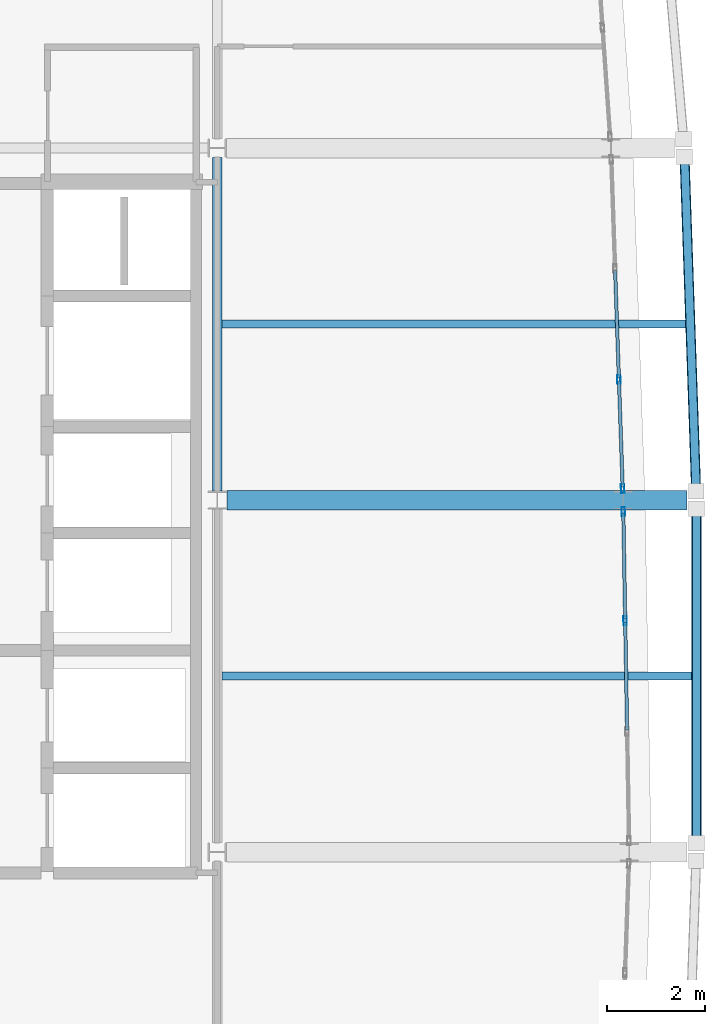
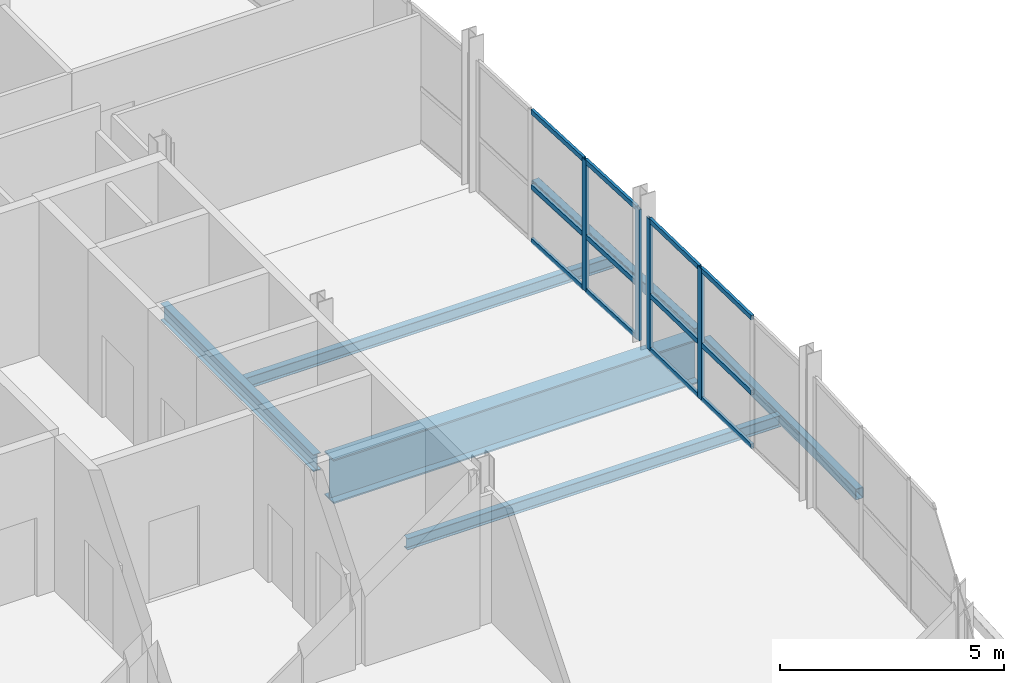
# One storey, part 7 of 23: 16 members, 6 beams, 2 elements without a shape of their own.
"""IFC4 building model written with IfcOpenShell, lengths in metres."""

import ifcopenshell
import ifcopenshell.guid

model = None  # the IFC model being written
_history = None  # IfcOwnerHistory: only IFC2X3 demands one
_inside = {}  # id of a spatial element -> (the spatial element, [elements in it])
_under = {}  # id of a project, library or spatial element -> (it, [spatial elements below it])
_declared = {}  # id of a project -> (the project, [libraries it declares])
_typed = {}  # id of a type object -> (the type object, [elements of that type])
_made_of = {}  # id of a material, layer set ... -> (it, [elements and type objects made of it])


def new_model(schema):
    """Start an empty IFC model of exactly this schema.

    Asked for "IFC4X3", IfcOpenShell would pick the latest addendum, in which some entities
    have other attributes; the version numbers below select the first issue.
    IFC2X3 requires an IfcOwnerHistory on every rooted entity: one is made here for all.
    """
    global model, _history
    if schema == "IFC4X3":
        model = ifcopenshell.file(schema_version=(4, 3, 0, 0))
    else:
        model = ifcopenshell.file(schema=schema)
    _inside.clear()
    _under.clear()
    _declared.clear()
    _typed.clear()
    _made_of.clear()
    _history = None
    if model.schema == "IFC2X3":
        org = make("IfcOrganization", Name="unknown")
        user = make(
            "IfcPersonAndOrganization",
            ThePerson=make("IfcPerson", FamilyName="unknown"),
            TheOrganization=org,
        )
        app = make(
            "IfcApplication",
            ApplicationDeveloper=org,
            Version="unknown",
            ApplicationFullName="unknown",
            ApplicationIdentifier="unknown",
        )
        _history = make(
            "IfcOwnerHistory",
            OwningUser=user,
            OwningApplication=app,
            ChangeAction="ADDED",
            CreationDate=0,
        )
    return model


def make(cls, **values):
    """One entity of the class cls with the attributes given. An attribute that is None is left unset."""
    return model.create_entity(
        cls, **{name: value for name, value in values.items() if value is not None}
    )


def rooted(cls, **values):
    """An entity with a GlobalId (a new one), such as an element, a storey or a relation."""
    return make(cls, GlobalId=ifcopenshell.guid.new(), OwnerHistory=_history, **values)


def si_unit(unit_type, name, prefix=None):
    """IfcSIUnit, for example si_unit("LENGTHUNIT", "METRE", prefix="MILLI")."""
    return make("IfcSIUnit", UnitType=unit_type, Prefix=prefix, Name=name)


def assignment(units):
    """IfcUnitAssignment: the units of a project."""
    return None if units is None else make("IfcUnitAssignment", Units=units)


def point(xyz):
    """IfcCartesianPoint."""
    return None if xyz is None else make("IfcCartesianPoint", Coordinates=xyz)


def direction(xyz):
    """IfcDirection."""
    return None if xyz is None else make("IfcDirection", DirectionRatios=xyz)


def frame(location, z_axis=None, x_axis=None):
    """IfcAxis2Placement3D, a coordinate frame: its origin and axes. An axis left out is left unset."""
    return make(
        "IfcAxis2Placement3D",
        Location=point(location),
        Axis=direction(z_axis),
        RefDirection=direction(x_axis),
    )


def frame_2d(location, x_axis=None):
    """IfcAxis2Placement2D, a coordinate frame in the plane: its origin and x axis."""
    return make(
        "IfcAxis2Placement2D", Location=point(location), RefDirection=direction(x_axis)
    )


def origin():
    """The frame at (0, 0, 0) with its axes left unset."""
    return frame((0.0, 0.0, 0.0))


def origin_2d():
    """The frame at (0, 0) in the plane with its x axis left unset."""
    return frame_2d((0.0, 0.0))


def place(relative_to, where):
    """IfcLocalPlacement: puts the frame where relative to a parent placement (None: the world)."""
    return make(
        "IfcLocalPlacement", PlacementRelTo=relative_to, RelativePlacement=where
    )


def context(
    kind, dimensions, precision=None, world=None, true_north=None, identifier=None
):
    """IfcGeometricRepresentationContext, for example the 3D "Model" context."""
    return make(
        "IfcGeometricRepresentationContext",
        ContextIdentifier=identifier,
        ContextType=kind,
        CoordinateSpaceDimension=dimensions,
        Precision=precision,
        WorldCoordinateSystem=world,
        TrueNorth=true_north,
    )


def subcontext(parent, identifier, kind, view, scale=None):
    """IfcGeometricRepresentationSubContext, for example "Body" below "Model"."""
    return make(
        "IfcGeometricRepresentationSubContext",
        ContextIdentifier=identifier,
        ContextType=kind,
        ParentContext=parent,
        TargetScale=scale,
        TargetView=view,
    )


def project(units=None, contexts=None):
    """IfcProject with its units and contexts."""
    return rooted(
        "IfcProject",
        Name="project",
        RepresentationContexts=contexts,
        UnitsInContext=assignment(units),
    )


def spatial(cls, under=None, at=None, **own):
    """A site, building, storey or space (cls), placed at a placement, below another one or the project."""
    s = rooted(cls, ObjectPlacement=at, **own)
    if under is not None:
        _under.setdefault(under.id(), (under, []))[1].append(s)
    return s


def profile(cls, at=None, kind="AREA", **sizes):
    """A parametric profile (cls). Its sizes go by their IFC names, for example OverallWidth=200.0."""
    return make(cls, ProfileType=kind, Position=at, **sizes)


def hollow_rectangle(**sizes):
    """IfcRectangleHollowProfileDef."""
    return profile("IfcRectangleHollowProfileDef", **sizes)


def i_section(**sizes):
    """IfcIShapeProfileDef."""
    return profile("IfcIShapeProfileDef", **sizes)


def extrude(swept, where, along, depth):
    """IfcExtrudedAreaSolid: the profile swept, set in the frame where, extruded along a direction by depth."""
    return make(
        "IfcExtrudedAreaSolid",
        SweptArea=swept,
        Position=where,
        ExtrudedDirection=direction(along),
        Depth=depth,
    )


def shape(context_of_items, identifier, shape_type, items):
    """IfcShapeRepresentation: the items that make up one representation, for example the "Body"."""
    return make(
        "IfcShapeRepresentation",
        ContextOfItems=context_of_items,
        RepresentationIdentifier=identifier,
        RepresentationType=shape_type,
        Items=items,
    )


def material(Name=None, Category=None):
    """IfcMaterial."""
    return make("IfcMaterial", Name=Name, Category=Category)


def layer(
    of_material, thickness, ventilated=None, Name=None, Category=None, Priority=None
):
    """IfcMaterialLayer: one layer of a wall or slab, of a material (None: an air gap)."""
    return make(
        "IfcMaterialLayer",
        Material=of_material,
        LayerThickness=thickness,
        IsVentilated=ventilated,
        Name=Name,
        Category=Category,
        Priority=Priority,
    )


def layer_set(layers, Name=None):
    """IfcMaterialLayerSet."""
    return make("IfcMaterialLayerSet", MaterialLayers=layers, LayerSetName=Name)


def material_profile(
    of_material, cross_section, Name=None, Category=None, Priority=None
):
    """IfcMaterialProfile: a cross section and its material."""
    return make(
        "IfcMaterialProfile",
        Name=Name,
        Material=of_material,
        Profile=cross_section,
        Priority=Priority,
        Category=Category,
    )


def profile_set(profiles, Name=None, composite=None):
    """IfcMaterialProfileSet."""
    return make(
        "IfcMaterialProfileSet",
        Name=Name,
        MaterialProfiles=profiles,
        CompositeProfile=composite,
    )


def made_of(thing, what):
    """Note that an element or type object is made of a material, layer set ...; save() writes the relation."""
    if what is not None:
        _made_of.setdefault(what.id(), (what, []))[1].append(thing)
    return thing


def type_object(cls, material=None, **own):
    """A type object (cls), such as IfcWallType, which elements share."""
    return made_of(rooted(cls, **own), material)


def element(
    cls,
    number,
    at=None,
    inside=None,
    cuts=None,
    type_object=None,
    material=None,
    context=None,
    identifier="Body",
    shape_type=None,
    held_by="IfcProductDefinitionShape",
    body=None,
    shapes=None,
    **own,
):
    """One element of the class cls, such as IfcWall. Its Tag is "e" and its number.

    at: its placement. inside: the storey or other place that contains it. cuts: it is an
    opening in that element (IfcRelVoidsElement). A single representation is given by context,
    identifier, shape_type and body (its items); several are given by shapes. held_by: the class
    of the entity that holds the representations. save() writes the other relations.
    """
    e = rooted(cls, Tag="e%d" % number, ObjectPlacement=at, **own)
    if body is not None:
        shapes = [shape(context, identifier, shape_type, body)]
    if shapes is not None:
        e.Representation = make(held_by, Representations=shapes)
    if inside is not None:
        _inside.setdefault(inside.id(), (inside, []))[1].append(e)
    if cuts is not None:
        rooted(
            "IfcRelVoidsElement", RelatingBuildingElement=cuts, RelatedOpeningElement=e
        )
    if type_object is not None:
        _typed.setdefault(type_object.id(), (type_object, []))[1].append(e)
    return made_of(e, material)


def aggregate(whole, parts):
    """IfcRelAggregates: a whole, such as a stair, and the parts it consists of."""
    return rooted("IfcRelAggregates", RelatingObject=whole, RelatedObjects=parts)


def save(model, path):
    """Write the relations noted so far, then the file.

    IfcRelAggregates (storeys below a building ...), IfcRelContainedInSpatialStructure (elements
    in a storey), IfcRelDefinesByType, IfcRelAssociatesMaterial and IfcRelDeclares: one each for
    every whole, place, type object, material and project.
    """
    for whole, parts in _under.values():
        aggregate(whole, parts)
    for where, things in _inside.values():
        rooted(
            "IfcRelContainedInSpatialStructure",
            RelatedElements=things,
            RelatingStructure=where,
        )
    for kind, things in _typed.values():
        rooted("IfcRelDefinesByType", RelatedObjects=things, RelatingType=kind)
    for what, things in _made_of.values():
        rooted("IfcRelAssociatesMaterial", RelatedObjects=things, RelatingMaterial=what)
    for by, libraries in _declared.values():
        rooted("IfcRelDeclares", RelatingContext=by, RelatedDefinitions=libraries)
    model.write(path)


model = new_model("IFC4")

# Units and contexts
model_context = context("Model", 3, precision=1e-05, world=origin(), true_north=direction((0.0, 1.0)))
body_context = subcontext(model_context, "Body", "Model", "MODEL_VIEW")
ifc_project = project(units=[si_unit("LENGTHUNIT", "METRE"), si_unit("AREAUNIT", "SQUARE_METRE"), si_unit("VOLUMEUNIT", "CUBIC_METRE"), si_unit("PLANEANGLEUNIT", "RADIAN"), si_unit("MASSUNIT", "GRAM", prefix="KILO")], contexts=[model_context])

# Site, building, storey
site_placement = place(None, origin())
site = spatial("IfcSite", under=ifc_project, at=site_placement, CompositionType="ELEMENT")
building_placement = place(site_placement, origin())
building = spatial("IfcBuilding", under=site, at=building_placement, Name="Quillay Park Conservatory", CompositionType="ELEMENT")
storey_placement = place(building_placement, frame((0.0, 0.0, 22.5)))
storey = spatial("IfcBuildingStorey", under=building, at=storey_placement, Name="L05", CompositionType="ELEMENT", Elevation=22.5)

# Beams
ifc_material_1 = material(Name="Steel ASTM A992 Grade 50", Category="steel")
ifc_material_profile_1 = material_profile(ifc_material_1, i_section(OverallWidth=0.166015625, OverallDepth=0.31298828125, WebThickness=0.006591796875, FlangeThickness=0.01123046875, FilletRadius=0.010009765625, at=origin_2d()), Name="W310x45")
ifc_profile_set_1 = profile_set([ifc_material_profile_1], Name="Steel ASTM A992 Grade 50")
beam_type_1 = type_object("IfcBeamType", Name="COMPOSITE FLOOR JOIST W310 X45", PredefinedType="JOIST", material=ifc_profile_set_1)
beam_1_placement = place(storey_placement, frame((19.845947265625, 88.800048828125, -0.3564453125), z_axis=(1.0, 0.0, 0.0), x_axis=(0.0, 1.0, 0.0)))
element("IfcBeam", 1, at=beam_1_placement, inside=storey, type_object=beam_type_1, Name="L05 beam BM-J-0427", PredefinedType="JOIST", context=body_context, shape_type="SweptSolid", body=[
    extrude(i_section(OverallWidth=0.166015625, OverallDepth=0.31298828125, WebThickness=0.006591796875, FlangeThickness=0.01123046875, FilletRadius=0.010009765625, at=origin_2d()), origin(), (0.0, 0.0, 1.0), 9.60400390625),
])
beam_2_placement = place(storey_placement, frame((19.845947265625, 96.0, -0.3564453125), z_axis=(1.0, 0.0, 0.0), x_axis=(0.0, 1.0, 0.0)))
element("IfcBeam", 2, at=beam_2_placement, inside=storey, type_object=beam_type_1, Name="L05 beam BM-J-0433", PredefinedType="JOIST", context=body_context, shape_type="SweptSolid", body=[
    extrude(i_section(OverallWidth=0.166015625, OverallDepth=0.31298828125, WebThickness=0.006591796875, FlangeThickness=0.01123046875, FilletRadius=0.010009765625, at=origin_2d()), origin(), (0.0, 0.0, 1.0), 9.47900390625),
])

# Curtain wall, members
ifc_material_2 = material(Name="Thermally Broken Anodised Aluminium 6063-T6", Category="aluminium")
ifc_layer = layer(ifc_material_2, 0.179931640625)
ifc_layer_set = layer_set([ifc_layer], Name="UNITISED CURTAIN WALL TOWER (Thermally Broken Anodised Aluminium 6063-T6)")
curtain_wall_type = type_object("IfcCurtainWallType", Name="UNITISED CURTAIN WALL TOWER", PredefinedType="USERDEFINED", material=ifc_layer_set)
curtain_wall_1_placement = place(storey_placement, origin())
curtain_wall_1 = element("IfcCurtainWall", 3, at=curtain_wall_1_placement, inside=storey, type_object=curtain_wall_type, Name="L05 Unitised Curtain Wall 051", ObjectType="UNITISED CURTAIN WALL", PredefinedType="USERDEFINED")
ifc_material_3 = material(Name="Thermally Broken Anodised Aluminium 6063-T6", Category="aluminium")
ifc_material_profile_2 = material_profile(ifc_material_3, hollow_rectangle(XDim=0.070068359375, YDim=0.179931640625, WallThickness=0.00390625, at=origin_2d()), Name="AL70x180x4")
ifc_profile_set_2 = profile_set([ifc_material_profile_2], Name="Thermally Broken Anodised Aluminium 6063-T6")
member_type_1 = type_object("IfcMemberType", Name="CURTAIN WALL MULLION 70 X180", PredefinedType="MULLION", material=ifc_profile_set_2)
member_1_placement = place(storey_placement, frame((28.05419921875, 92.1650390625, 0.0), z_axis=(0.0, 0.0, 1.0), x_axis=(0.999849471711, 0.017350329071, 0.0)))
member_1 = element("IfcMember", 4, at=member_1_placement, type_object=member_type_1, Name="CW-T1 mullion 1", PredefinedType="MULLION", context=body_context, shape_type="SweptSolid", body=[
    extrude(hollow_rectangle(XDim=0.070068359375, YDim=0.179931640625, WallThickness=0.00390625, at=origin_2d()), origin(), (0.0, 0.0, 1.0), 3.569091796875),
])
member_2_placement = place(storey_placement, frame((28.0927734375, 89.933349609375, 0.0), z_axis=(0.0, 0.0, 1.0), x_axis=(0.999849471711, 0.017350329071, 0.0)))
member_2 = element("IfcMember", 5, at=member_2_placement, type_object=member_type_1, Name="CW-T1 mullion 2", PredefinedType="MULLION", context=body_context, shape_type="SweptSolid", body=[
    extrude(hollow_rectangle(XDim=0.070068359375, YDim=0.179931640625, WallThickness=0.00390625, at=origin_2d()), origin(), (0.0, 0.0, 1.0), 3.569091796875),
])

curtain_wall_2_placement = place(storey_placement, origin())
curtain_wall_2 = element("IfcCurtainWall", 6, at=curtain_wall_2_placement, inside=storey, type_object=curtain_wall_type, Name="L05 Unitised Curtain Wall 052", ObjectType="UNITISED CURTAIN WALL", PredefinedType="USERDEFINED")
member_3_placement = place(storey_placement, frame((27.96435546875, 94.86669921875, 0.0), z_axis=(0.0, 0.0, 1.0), x_axis=(0.999397310446, 0.034713338537, 0.0)))
member_3 = element("IfcMember", 7, at=member_3_placement, type_object=member_type_1, Name="CW-T1 mullion 3", PredefinedType="MULLION", context=body_context, shape_type="SweptSolid", body=[
    extrude(hollow_rectangle(XDim=0.070068359375, YDim=0.179931640625, WallThickness=0.00390625, at=origin_2d()), origin(), (0.0, 0.0, 1.0), 3.569091796875),
])
member_4_placement = place(storey_placement, frame((28.0419921875, 92.634765625, 0.0), z_axis=(0.0, 0.0, 1.0), x_axis=(0.999397310446, 0.034713338537, 0.0)))
member_4 = element("IfcMember", 8, at=member_4_placement, type_object=member_type_1, Name="CW-T1 mullion 4", PredefinedType="MULLION", context=body_context, shape_type="SweptSolid", body=[
    extrude(hollow_rectangle(XDim=0.070068359375, YDim=0.179931640625, WallThickness=0.00390625, at=origin_2d()), origin(), (0.0, 0.0, 1.0), 3.569091796875),
])

# Member
ifc_material_4 = material(Name="Thermally Broken Anodised Aluminium 6063-T6", Category="aluminium")
ifc_material_profile_3 = material_profile(ifc_material_4, hollow_rectangle(XDim=0.070068359375, YDim=0.1298828125, WallThickness=0.003173828125, at=origin_2d()), Name="AL70x130x3.2")
ifc_profile_set_3 = profile_set([ifc_material_profile_3], Name="Thermally Broken Anodised Aluminium 6063-T6")
member_type_2 = type_object("IfcMemberType", Name="CURTAIN WALL TRANSOM 70 X130", PredefinedType="USERDEFINED", material=ifc_profile_set_3)
member_5_placement = place(storey_placement, frame((28.0546875, 92.130126953125, 0.034912109375), z_axis=(0.017388674879, -0.999848805563, 0.0), x_axis=(0.999848805563, 0.017388674879, 0.0)))
member_5 = element("IfcMember", 9, at=member_5_placement, type_object=member_type_2, Name="CW-T1 transom 1.1", ObjectType="TRANSOM", PredefinedType="USERDEFINED", context=body_context, shape_type="SweptSolid", body=[
    extrude(hollow_rectangle(XDim=0.070068359375, YDim=0.1298828125, WallThickness=0.003173828125, at=origin_2d()), origin(), (0.0, 0.0, 1.0), 2.162109375),
])

member_6_placement = place(storey_placement, frame((28.0546875, 92.130126953125, 1.4990234375), z_axis=(0.017388674879, -0.999848805563, 0.0), x_axis=(0.999848805563, 0.017388674879, 0.0)))
member_6 = element("IfcMember", 10, at=member_6_placement, type_object=member_type_2, Name="CW-T1 transom 1.2", ObjectType="TRANSOM", PredefinedType="USERDEFINED", context=body_context, shape_type="SweptSolid", body=[
    extrude(hollow_rectangle(XDim=0.070068359375, YDim=0.1298828125, WallThickness=0.003173828125, at=origin_2d()), origin(), (0.0, 0.0, 1.0), 2.162109375),
])

member_7_placement = place(storey_placement, frame((28.0546875, 92.130126953125, 3.533935546875), z_axis=(0.017388674879, -0.999848805563, 0.0), x_axis=(0.999848805563, 0.017388674879, 0.0)))
member_7 = element("IfcMember", 11, at=member_7_placement, type_object=member_type_2, Name="CW-T1 transom 1.3", ObjectType="TRANSOM", PredefinedType="USERDEFINED", context=body_context, shape_type="SweptSolid", body=[
    extrude(hollow_rectangle(XDim=0.070068359375, YDim=0.1298828125, WallThickness=0.003173828125, at=origin_2d()), origin(), (0.0, 0.0, 1.0), 2.162109375),
])

member_8_placement = place(storey_placement, frame((28.093505859375, 89.8984375, 0.034912109375), z_axis=(0.01733458104, -0.999849744862, 0.0), x_axis=(0.999849744862, 0.01733458104, 0.0)))
member_8 = element("IfcMember", 12, at=member_8_placement, type_object=member_type_2, Name="CW-T1 transom 2.1", ObjectType="TRANSOM", PredefinedType="USERDEFINED", context=body_context, shape_type="SweptSolid", body=[
    extrude(hollow_rectangle(XDim=0.070068359375, YDim=0.1298828125, WallThickness=0.003173828125, at=origin_2d()), origin(), (0.0, 0.0, 1.0), 2.197021484375),
])

member_9_placement = place(storey_placement, frame((28.093505859375, 89.8984375, 1.4990234375), z_axis=(0.01733458104, -0.999849744862, 0.0), x_axis=(0.999849744862, 0.01733458104, 0.0)))
member_9 = element("IfcMember", 13, at=member_9_placement, type_object=member_type_2, Name="CW-T1 transom 2.2", ObjectType="TRANSOM", PredefinedType="USERDEFINED", context=body_context, shape_type="SweptSolid", body=[
    extrude(hollow_rectangle(XDim=0.070068359375, YDim=0.1298828125, WallThickness=0.003173828125, at=origin_2d()), origin(), (0.0, 0.0, 1.0), 2.197021484375),
])

member_10_placement = place(storey_placement, frame((28.093505859375, 89.8984375, 3.533935546875), z_axis=(0.01733458104, -0.999849744862, 0.0), x_axis=(0.999849744862, 0.01733458104, 0.0)))
member_10 = element("IfcMember", 14, at=member_10_placement, type_object=member_type_2, Name="CW-T1 transom 2.3", ObjectType="TRANSOM", PredefinedType="USERDEFINED", context=body_context, shape_type="SweptSolid", body=[
    extrude(hollow_rectangle(XDim=0.070068359375, YDim=0.1298828125, WallThickness=0.003173828125, at=origin_2d()), origin(), (0.0, 0.0, 1.0), 2.197021484375),
])

aggregate(curtain_wall_1, [member_1, member_2, member_5, member_6, member_7, member_8, member_9, member_10])

member_11_placement = place(storey_placement, frame((27.886962890625, 97.098388671875, 0.034912109375), z_axis=(0.034653546152, -0.999399385501, 0.0), x_axis=(0.999399385501, 0.034653546152, 0.0)))
member_11 = element("IfcMember", 15, at=member_11_placement, type_object=member_type_2, Name="CW-T1 transom 2.1", ObjectType="TRANSOM", PredefinedType="USERDEFINED", context=body_context, shape_type="SweptSolid", body=[
    extrude(hollow_rectangle(XDim=0.070068359375, YDim=0.1298828125, WallThickness=0.003173828125, at=origin_2d()), origin(), (0.0, 0.0, 1.0), 2.197998046875),
])

member_12_placement = place(storey_placement, frame((27.886962890625, 97.098388671875, 1.4990234375), z_axis=(0.034653546152, -0.999399385501, 0.0), x_axis=(0.999399385501, 0.034653546152, 0.0)))
member_12 = element("IfcMember", 16, at=member_12_placement, type_object=member_type_2, Name="CW-T1 transom 2.2", ObjectType="TRANSOM", PredefinedType="USERDEFINED", context=body_context, shape_type="SweptSolid", body=[
    extrude(hollow_rectangle(XDim=0.070068359375, YDim=0.1298828125, WallThickness=0.003173828125, at=origin_2d()), origin(), (0.0, 0.0, 1.0), 2.197998046875),
])

member_13_placement = place(storey_placement, frame((27.886962890625, 97.098388671875, 3.533935546875), z_axis=(0.034653546152, -0.999399385501, 0.0), x_axis=(0.999399385501, 0.034653546152, 0.0)))
member_13 = element("IfcMember", 17, at=member_13_placement, type_object=member_type_2, Name="CW-T1 transom 2.3", ObjectType="TRANSOM", PredefinedType="USERDEFINED", context=body_context, shape_type="SweptSolid", body=[
    extrude(hollow_rectangle(XDim=0.070068359375, YDim=0.1298828125, WallThickness=0.003173828125, at=origin_2d()), origin(), (0.0, 0.0, 1.0), 2.197998046875),
])

member_14_placement = place(storey_placement, frame((27.965576171875, 94.83154296875, 0.034912109375), z_axis=(0.034765508592, -0.999395496994, 0.0), x_axis=(0.999395496994, 0.034765508592, 0.0)))
member_14 = element("IfcMember", 18, at=member_14_placement, type_object=member_type_2, Name="CW-T1 transom 3.1", ObjectType="TRANSOM", PredefinedType="USERDEFINED", context=body_context, shape_type="SweptSolid", body=[
    extrude(hollow_rectangle(XDim=0.070068359375, YDim=0.1298828125, WallThickness=0.003173828125, at=origin_2d()), origin(), (0.0, 0.0, 1.0), 2.162841796875),
])

member_15_placement = place(storey_placement, frame((27.965576171875, 94.83154296875, 1.4990234375), z_axis=(0.034765508592, -0.999395496994, 0.0), x_axis=(0.999395496994, 0.034765508592, 0.0)))
member_15 = element("IfcMember", 19, at=member_15_placement, type_object=member_type_2, Name="CW-T1 transom 3.2", ObjectType="TRANSOM", PredefinedType="USERDEFINED", context=body_context, shape_type="SweptSolid", body=[
    extrude(hollow_rectangle(XDim=0.070068359375, YDim=0.1298828125, WallThickness=0.003173828125, at=origin_2d()), origin(), (0.0, 0.0, 1.0), 2.162841796875),
])

member_16_placement = place(storey_placement, frame((27.965576171875, 94.83154296875, 3.533935546875), z_axis=(0.034765508592, -0.999395496994, 0.0), x_axis=(0.999395496994, 0.034765508592, 0.0)))
member_16 = element("IfcMember", 20, at=member_16_placement, type_object=member_type_2, Name="CW-T1 transom 3.3", ObjectType="TRANSOM", PredefinedType="USERDEFINED", context=body_context, shape_type="SweptSolid", body=[
    extrude(hollow_rectangle(XDim=0.070068359375, YDim=0.1298828125, WallThickness=0.003173828125, at=origin_2d()), origin(), (0.0, 0.0, 1.0), 2.162841796875),
])

aggregate(curtain_wall_2, [member_3, member_4, member_11, member_12, member_13, member_14, member_15, member_16])

# Beams
ifc_material_5 = material(Name="Steel S355J2H", Category="steel")
ifc_material_profile_4 = material_profile(ifc_material_5, hollow_rectangle(XDim=0.199951171875, YDim=0.300048828125, WallThickness=0.012451171875, InnerFilletRadius=0.012451171875, OuterFilletRadius=0.02490234375, at=origin_2d()), Name="RHS300x200x12.5")
ifc_profile_set_4 = profile_set([ifc_material_profile_4], Name="Steel S355J2H")
beam_type_2 = type_object("IfcBeamType", Name="PERIMETER SPANDREL BEAM RHS300", PredefinedType="SPANDREL", material=ifc_profile_set_4)
beam_3_placement = place(storey_placement, frame((29.550048828125, 85.389892578125, -0.35009765625), z_axis=(0.0, 1.0, 0.0), x_axis=(-1.0, 0.0, 0.0)))
element("IfcBeam", 21, at=beam_3_placement, inside=storey, type_object=beam_type_2, Name="L05 beam BM-SPE-0423", PredefinedType="SPANDREL", context=body_context, shape_type="SweptSolid", body=[
    extrude(hollow_rectangle(XDim=0.199951171875, YDim=0.300048828125, WallThickness=0.012451171875, InnerFilletRadius=0.012451171875, OuterFilletRadius=0.02490234375, at=origin_2d()), origin(), (0.0, 0.0, 1.0), 6.820068359375),
])
beam_4_placement = place(storey_placement, frame((29.54345703125, 92.58984375, -0.35009765625), z_axis=(-0.034701310006, 0.999397728176, 0.0), x_axis=(-0.999397728176, -0.034701310006, 0.0)))
element("IfcBeam", 22, at=beam_4_placement, inside=storey, type_object=beam_type_2, Name="L05 beam BM-SPE-0429", PredefinedType="SPANDREL", context=body_context, shape_type="SweptSolid", body=[
    extrude(hollow_rectangle(XDim=0.199951171875, YDim=0.300048828125, WallThickness=0.012451171875, InnerFilletRadius=0.012451171875, OuterFilletRadius=0.02490234375, at=origin_2d()), origin(), (0.0, 0.0, 1.0), 6.824462890625),
])
ifc_material_6 = material(Name="Steel ASTM A992 Grade 50", Category="steel")
ifc_material_profile_5 = material_profile(ifc_material_6, i_section(OverallWidth=0.19189453125, OverallDepth=0.462890625, WebThickness=0.010498046875, FlangeThickness=0.017578125, FilletRadius=0.012939453125, at=origin_2d()), Name="W460x89")
ifc_profile_set_5 = profile_set([ifc_material_profile_5], Name="Steel ASTM A992 Grade 50")
beam_type_3 = type_object("IfcBeamType", Name="PRIMARY FLOOR GIRDER W460 X89", PredefinedType="BEAM", material=ifc_profile_set_5)
beam_5_placement = place(storey_placement, frame((19.75, 92.590087890625, -0.431396484375), z_axis=(0.0, 1.0, 0.0), x_axis=(-1.0, 0.0, 0.0)))
element("IfcBeam", 23, at=beam_5_placement, inside=storey, type_object=beam_type_3, Name="L05 beam BM-GNS-0431", PredefinedType="BEAM", context=body_context, shape_type="SweptSolid", body=[
    extrude(i_section(OverallWidth=0.19189453125, OverallDepth=0.462890625, WebThickness=0.010498046875, FlangeThickness=0.017578125, FilletRadius=0.012939453125, at=origin_2d()), origin(), (0.0, 0.0, 1.0), 6.8125),
])
ifc_material_7 = material(Name="Steel ASTM A572 Grade 50", Category="steel")
ifc_material_profile_6 = material_profile(ifc_material_7, i_section(OverallWidth=0.39990234375, OverallDepth=1.199951171875, WebThickness=0.02001953125, FlangeThickness=0.0380859375, at=origin_2d()), Name="IG1200x400")
ifc_profile_set_6 = profile_set([ifc_material_profile_6], Name="Steel ASTM A572 Grade 50")
beam_type_4 = type_object("IfcBeamType", Name="TRANSFER PLATE GIRDER IG1200", PredefinedType="USERDEFINED", material=ifc_profile_set_6)
beam_6_placement = place(storey_placement, frame((19.947509765625, 92.39990234375, -0.800048828125), z_axis=(1.0, 0.0, 0.0), x_axis=(0.0, 1.0, 0.0)))
element("IfcBeam", 24, at=beam_6_placement, inside=storey, type_object=beam_type_4, Name="L05 beam BM-TG2-0392", ObjectType="TRANSFER PLATE GIRDER", PredefinedType="USERDEFINED", context=body_context, shape_type="SweptSolid", body=[
    extrude(i_section(OverallWidth=0.39990234375, OverallDepth=1.199951171875, WebThickness=0.02001953125, FlangeThickness=0.0380859375, at=origin_2d()), origin(), (0.0, 0.0, 1.0), 9.405029296875),
])

save(model, "model.ifc")
